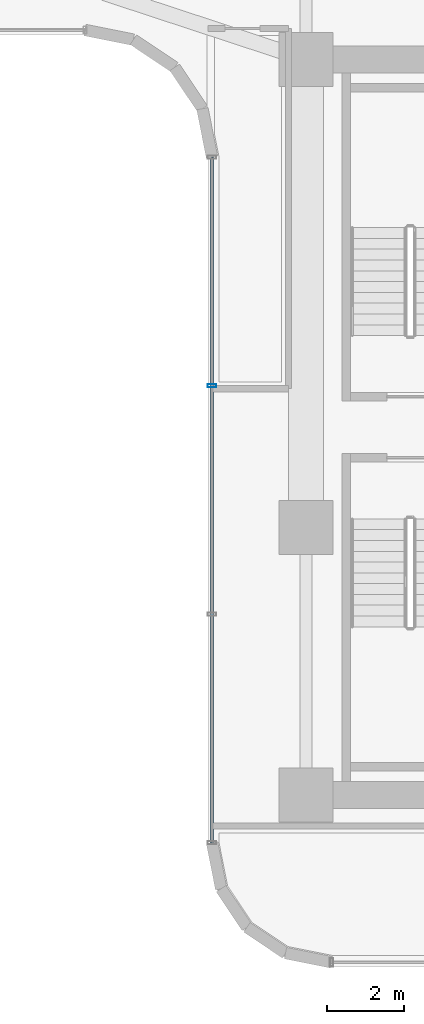
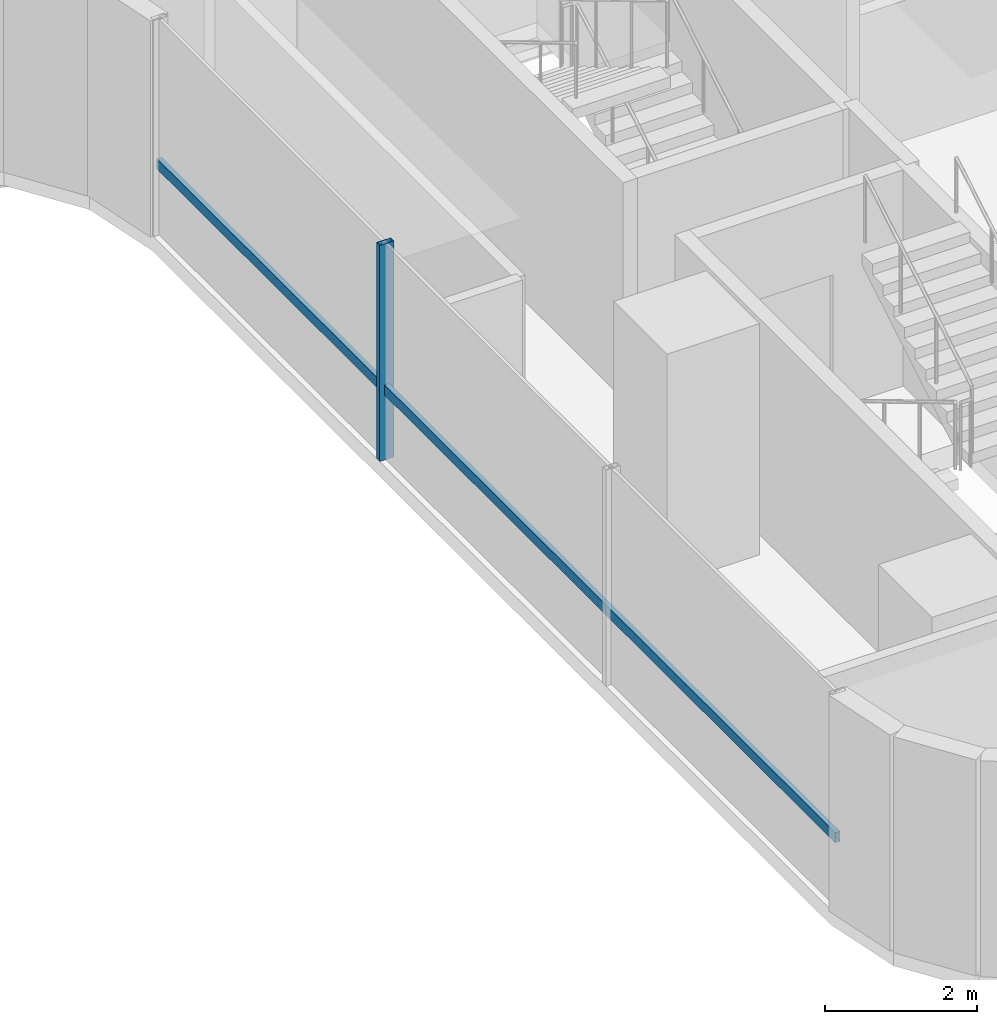
# One storey, part 13 of 40: 2 members, 1 element without a shape of its own.
"""IFC4 building model written with IfcOpenShell, lengths in metres."""

from ifc_helpers import new_model, si_unit, direction, frame, origin, origin_2d, place, context, subcontext, project, spatial, hollow_rectangle, extrude, source, transform, mapped, material, material_profile, profile_set, type_object, element, aggregate, save


model = new_model("IFC4")

# Units and contexts
model_context = context("Model", 3, precision=1e-05, world=origin(), true_north=direction((0.0, 1.0)))
body_context = subcontext(model_context, "Body", "Model", "MODEL_VIEW")
ifc_project = project(units=[si_unit("LENGTHUNIT", "METRE"), si_unit("AREAUNIT", "SQUARE_METRE"), si_unit("VOLUMEUNIT", "CUBIC_METRE"), si_unit("PLANEANGLEUNIT", "RADIAN"), si_unit("MASSUNIT", "GRAM", prefix="KILO")], contexts=[model_context])

# Site, building, storey
site_placement = place(None, origin())
site = spatial("IfcSite", under=ifc_project, at=site_placement, CompositionType="ELEMENT")
building_placement = place(site_placement, origin())
building = spatial("IfcBuilding", under=site, at=building_placement, Name="Valdorenza Pilgrim Sanctuary Tower", CompositionType="ELEMENT")
storey_placement = place(building_placement, frame((0.0, 0.0, 44.5)))
storey = spatial("IfcBuildingStorey", under=building, at=storey_placement, Name="L10", CompositionType="ELEMENT", Elevation=44.5)

# Curtain wall, members
ifc_material_1 = material(Name="Curtain-wall IGU glazing", Category="glass")
curtain_wall_type = type_object("IfcCurtainWallType", Name="CW-SYS-03", PredefinedType="NOTDEFINED", material=ifc_material_1)
curtain_wall_placement = place(storey_placement, origin())
curtain_wall = element("IfcCurtainWall", 1, at=curtain_wall_placement, inside=storey, type_object=curtain_wall_type, Name="L10 Curtain Wall CW-L10-1-31", PredefinedType="NOTDEFINED")
ifc_material_2 = material(Name="Anodised aluminium AW-6060", Category="aluminium")
ifc_material_profile_1 = material_profile(ifc_material_2, hollow_rectangle(XDim=0.0849609375, YDim=0.219970703125, WallThickness=0.0048828125, at=origin_2d()), Name="ALU-M 220x85x5")
ifc_profile_set_1 = profile_set([ifc_material_profile_1], Name="Anodised aluminium AW-6060")
member_type_1 = type_object("IfcMemberType", Name="CW-MUL-03", PredefinedType="MULLION", material=ifc_profile_set_1)
shared_shape_1 = source(origin(), body_context, "Body", "SweptSolid", [
    extrude(hollow_rectangle(XDim=0.0849609375, YDim=0.219970703125, WallThickness=0.0048828125, at=origin_2d()), origin(), (0.0, 0.0, 1.0), 3.4599609375),
])
member_1_placement = place(storey_placement, frame((13.409912109375, 1.077392578125, 0.0), z_axis=(0.0, 0.0, 1.0), x_axis=(0.0, 1.0, 0.0)))
member_1 = element("IfcMember", 2, at=member_1_placement, type_object=member_type_1, Name="CW-L10-1-31 Mullion 3", PredefinedType="MULLION", context=body_context, shape_type="MappedRepresentation", body=[
    mapped(shared_shape_1, transform((0.0, 0.0, 0.0), x_axis=(1.0, 0.0, 0.0), y_axis=(0.0, 1.0, 0.0), z_axis=(0.0, 0.0, 1.0), scale=1.0)),
])
ifc_material_profile_2 = material_profile(ifc_material_2, hollow_rectangle(XDim=0.074951171875, YDim=0.159912109375, WallThickness=0.00390625, at=origin_2d()), Name="ALU-T 160x75x4")
ifc_profile_set_2 = profile_set([ifc_material_profile_2], Name="Anodised aluminium AW-6060")
member_type_2 = type_object("IfcMemberType", Name="CW-TRN-03", PredefinedType="USERDEFINED", material=ifc_profile_set_2)
shared_shape_2 = source(origin(), body_context, "Body", "SweptSolid", [
    extrude(hollow_rectangle(XDim=0.074951171875, YDim=0.159912109375, WallThickness=0.00390625, at=origin_2d()), origin(), (0.0, 0.0, 1.0), 17.800048828125),
])
member_2_placement = place(storey_placement, frame((13.409912109375, -10.789306640625, 1.1201171875), z_axis=(0.0, 1.0, 0.0), x_axis=(-1.0, 0.0, 0.0)))
member_2 = element("IfcMember", 3, at=member_2_placement, type_object=member_type_2, Name="CW-L10-1-31 Transom 1", ObjectType="TRANSOM", PredefinedType="USERDEFINED", context=body_context, shape_type="MappedRepresentation", body=[
    mapped(shared_shape_2, transform((0.0, 0.0, 0.0), x_axis=(1.0, 0.0, 0.0), y_axis=(0.0, 1.0, 0.0), z_axis=(0.0, 0.0, 1.0), scale=1.0)),
])
aggregate(curtain_wall, [member_1, member_2])

save(model, "model.ifc")
